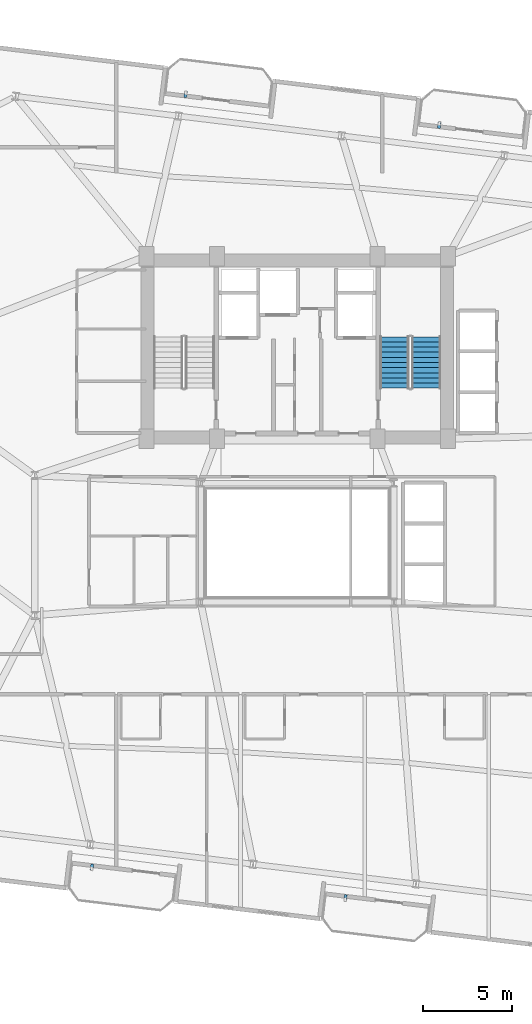
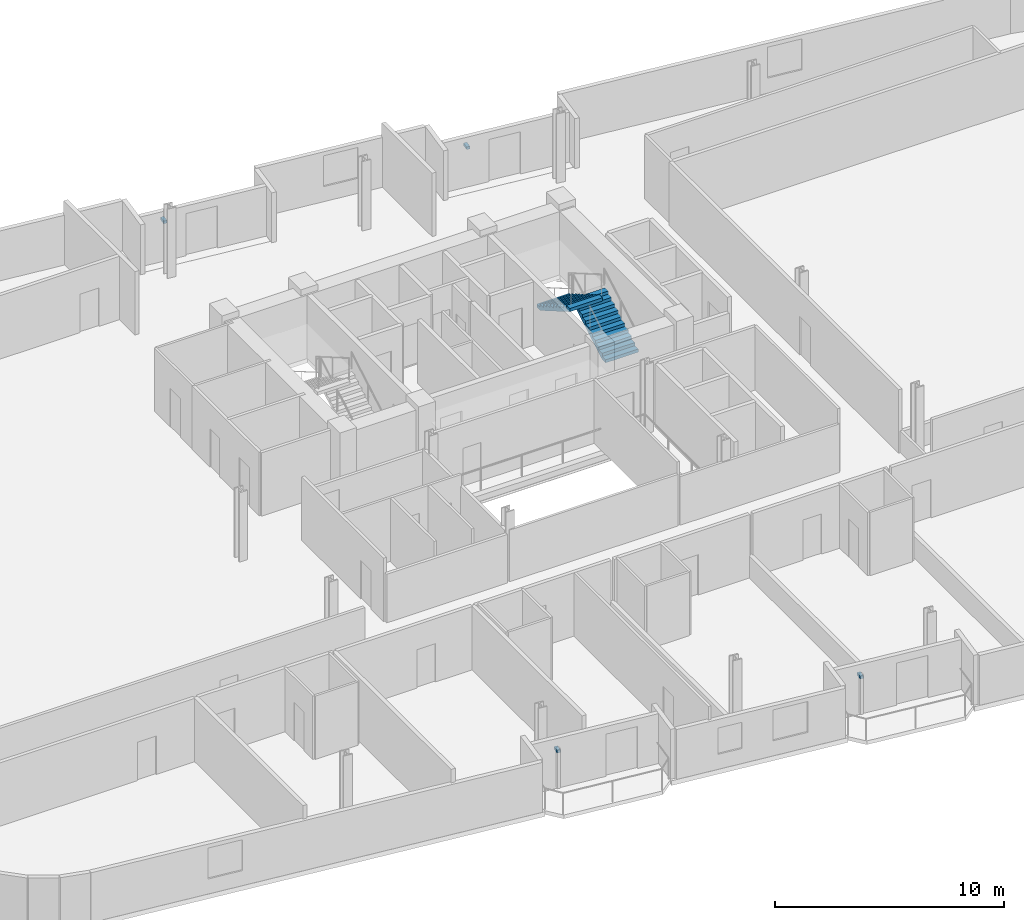
# One storey, part 24 of 26: 4 discrete accessories, 2 stair flights, 1 element without a shape of its own.
"""IFC4 building model written with IfcOpenShell, lengths in metres."""

import ifcopenshell
import ifcopenshell.guid

model = None  # the IFC model being written
_history = None  # IfcOwnerHistory: only IFC2X3 demands one
_inside = {}  # id of a spatial element -> (the spatial element, [elements in it])
_under = {}  # id of a project, library or spatial element -> (it, [spatial elements below it])
_declared = {}  # id of a project -> (the project, [libraries it declares])
_typed = {}  # id of a type object -> (the type object, [elements of that type])
_made_of = {}  # id of a material, layer set ... -> (it, [elements and type objects made of it])


def new_model(schema):
    """Start an empty IFC model of exactly this schema.

    Asked for "IFC4X3", IfcOpenShell would pick the latest addendum, in which some entities
    have other attributes; the version numbers below select the first issue.
    IFC2X3 requires an IfcOwnerHistory on every rooted entity: one is made here for all.
    """
    global model, _history
    if schema == "IFC4X3":
        model = ifcopenshell.file(schema_version=(4, 3, 0, 0))
    else:
        model = ifcopenshell.file(schema=schema)
    _inside.clear()
    _under.clear()
    _declared.clear()
    _typed.clear()
    _made_of.clear()
    _history = None
    if model.schema == "IFC2X3":
        org = make("IfcOrganization", Name="unknown")
        user = make(
            "IfcPersonAndOrganization",
            ThePerson=make("IfcPerson", FamilyName="unknown"),
            TheOrganization=org,
        )
        app = make(
            "IfcApplication",
            ApplicationDeveloper=org,
            Version="unknown",
            ApplicationFullName="unknown",
            ApplicationIdentifier="unknown",
        )
        _history = make(
            "IfcOwnerHistory",
            OwningUser=user,
            OwningApplication=app,
            ChangeAction="ADDED",
            CreationDate=0,
        )
    return model


def make(cls, **values):
    """One entity of the class cls with the attributes given. An attribute that is None is left unset."""
    return model.create_entity(
        cls, **{name: value for name, value in values.items() if value is not None}
    )


def rooted(cls, **values):
    """An entity with a GlobalId (a new one), such as an element, a storey or a relation."""
    return make(cls, GlobalId=ifcopenshell.guid.new(), OwnerHistory=_history, **values)


def si_unit(unit_type, name, prefix=None):
    """IfcSIUnit, for example si_unit("LENGTHUNIT", "METRE", prefix="MILLI")."""
    return make("IfcSIUnit", UnitType=unit_type, Prefix=prefix, Name=name)


def assignment(units):
    """IfcUnitAssignment: the units of a project."""
    return None if units is None else make("IfcUnitAssignment", Units=units)


def point(xyz):
    """IfcCartesianPoint."""
    return None if xyz is None else make("IfcCartesianPoint", Coordinates=xyz)


def direction(xyz):
    """IfcDirection."""
    return None if xyz is None else make("IfcDirection", DirectionRatios=xyz)


def frame(location, z_axis=None, x_axis=None):
    """IfcAxis2Placement3D, a coordinate frame: its origin and axes. An axis left out is left unset."""
    return make(
        "IfcAxis2Placement3D",
        Location=point(location),
        Axis=direction(z_axis),
        RefDirection=direction(x_axis),
    )


def frame_2d(location, x_axis=None):
    """IfcAxis2Placement2D, a coordinate frame in the plane: its origin and x axis."""
    return make(
        "IfcAxis2Placement2D", Location=point(location), RefDirection=direction(x_axis)
    )


def origin():
    """The frame at (0, 0, 0) with its axes left unset."""
    return frame((0.0, 0.0, 0.0))


def origin_2d():
    """The frame at (0, 0) in the plane with its x axis left unset."""
    return frame_2d((0.0, 0.0))


def place(relative_to, where):
    """IfcLocalPlacement: puts the frame where relative to a parent placement (None: the world)."""
    return make(
        "IfcLocalPlacement", PlacementRelTo=relative_to, RelativePlacement=where
    )


def context(
    kind, dimensions, precision=None, world=None, true_north=None, identifier=None
):
    """IfcGeometricRepresentationContext, for example the 3D "Model" context."""
    return make(
        "IfcGeometricRepresentationContext",
        ContextIdentifier=identifier,
        ContextType=kind,
        CoordinateSpaceDimension=dimensions,
        Precision=precision,
        WorldCoordinateSystem=world,
        TrueNorth=true_north,
    )


def subcontext(parent, identifier, kind, view, scale=None):
    """IfcGeometricRepresentationSubContext, for example "Body" below "Model"."""
    return make(
        "IfcGeometricRepresentationSubContext",
        ContextIdentifier=identifier,
        ContextType=kind,
        ParentContext=parent,
        TargetScale=scale,
        TargetView=view,
    )


def project(units=None, contexts=None):
    """IfcProject with its units and contexts."""
    return rooted(
        "IfcProject",
        Name="project",
        RepresentationContexts=contexts,
        UnitsInContext=assignment(units),
    )


def spatial(cls, under=None, at=None, **own):
    """A site, building, storey or space (cls), placed at a placement, below another one or the project."""
    s = rooted(cls, ObjectPlacement=at, **own)
    if under is not None:
        _under.setdefault(under.id(), (under, []))[1].append(s)
    return s


def polyline(points):
    """IfcPolyline through the points."""
    return make("IfcPolyline", Points=[point(p) for p in points])


def profile(cls, at=None, kind="AREA", **sizes):
    """A parametric profile (cls). Its sizes go by their IFC names, for example OverallWidth=200.0."""
    return make(cls, ProfileType=kind, Position=at, **sizes)


def rectangle(**sizes):
    """IfcRectangleProfileDef."""
    return profile("IfcRectangleProfileDef", **sizes)


def outline(outer, holes=None, kind="AREA"):
    """IfcArbitraryClosedProfileDef: a profile drawn as a closed curve; with holes, ...WithVoids."""
    if holes is None:
        return make("IfcArbitraryClosedProfileDef", ProfileType=kind, OuterCurve=outer)
    return make(
        "IfcArbitraryProfileDefWithVoids",
        ProfileType=kind,
        OuterCurve=outer,
        InnerCurves=holes,
    )


def extrude(swept, where, along, depth):
    """IfcExtrudedAreaSolid: the profile swept, set in the frame where, extruded along a direction by depth."""
    return make(
        "IfcExtrudedAreaSolid",
        SweptArea=swept,
        Position=where,
        ExtrudedDirection=direction(along),
        Depth=depth,
    )


def shape(context_of_items, identifier, shape_type, items):
    """IfcShapeRepresentation: the items that make up one representation, for example the "Body"."""
    return make(
        "IfcShapeRepresentation",
        ContextOfItems=context_of_items,
        RepresentationIdentifier=identifier,
        RepresentationType=shape_type,
        Items=items,
    )


def source(mapping_origin, context_of_items, identifier, shape_type, items):
    """IfcRepresentationMap: a shape defined once, which mapped items show again and again."""
    return make(
        "IfcRepresentationMap",
        MappingOrigin=mapping_origin,
        MappedRepresentation=shape(context_of_items, identifier, shape_type, items),
    )


def transform(
    local_origin,
    x_axis=None,
    y_axis=None,
    z_axis=None,
    scale=None,
    scale2=None,
    scale3=None,
    uniform=True,
):
    """IfcCartesianTransformationOperator3D, or its non-uniform kind. x_axis, y_axis, z_axis: its Axis1, 2, 3."""
    if uniform:
        return make(
            "IfcCartesianTransformationOperator3D",
            Axis1=direction(x_axis),
            Axis2=direction(y_axis),
            LocalOrigin=point(local_origin),
            Scale=scale,
            Axis3=direction(z_axis),
        )
    return make(
        "IfcCartesianTransformationOperator3DnonUniform",
        Axis1=direction(x_axis),
        Axis2=direction(y_axis),
        LocalOrigin=point(local_origin),
        Scale=scale,
        Axis3=direction(z_axis),
        Scale2=scale2,
        Scale3=scale3,
    )


def mapped(mapping_source, mapping_target):
    """IfcMappedItem: shows the shape of a source again, moved by a transform."""
    return make(
        "IfcMappedItem", MappingSource=mapping_source, MappingTarget=mapping_target
    )


def material(Name=None, Category=None):
    """IfcMaterial."""
    return make("IfcMaterial", Name=Name, Category=Category)


def made_of(thing, what):
    """Note that an element or type object is made of a material, layer set ...; save() writes the relation."""
    if what is not None:
        _made_of.setdefault(what.id(), (what, []))[1].append(thing)
    return thing


def type_object(cls, material=None, **own):
    """A type object (cls), such as IfcWallType, which elements share."""
    return made_of(rooted(cls, **own), material)


def element(
    cls,
    number,
    at=None,
    inside=None,
    cuts=None,
    type_object=None,
    material=None,
    context=None,
    identifier="Body",
    shape_type=None,
    held_by="IfcProductDefinitionShape",
    body=None,
    shapes=None,
    **own,
):
    """One element of the class cls, such as IfcWall. Its Tag is "e" and its number.

    at: its placement. inside: the storey or other place that contains it. cuts: it is an
    opening in that element (IfcRelVoidsElement). A single representation is given by context,
    identifier, shape_type and body (its items); several are given by shapes. held_by: the class
    of the entity that holds the representations. save() writes the other relations.
    """
    e = rooted(cls, Tag="e%d" % number, ObjectPlacement=at, **own)
    if body is not None:
        shapes = [shape(context, identifier, shape_type, body)]
    if shapes is not None:
        e.Representation = make(held_by, Representations=shapes)
    if inside is not None:
        _inside.setdefault(inside.id(), (inside, []))[1].append(e)
    if cuts is not None:
        rooted(
            "IfcRelVoidsElement", RelatingBuildingElement=cuts, RelatedOpeningElement=e
        )
    if type_object is not None:
        _typed.setdefault(type_object.id(), (type_object, []))[1].append(e)
    return made_of(e, material)


def aggregate(whole, parts):
    """IfcRelAggregates: a whole, such as a stair, and the parts it consists of."""
    return rooted("IfcRelAggregates", RelatingObject=whole, RelatedObjects=parts)


def save(model, path):
    """Write the relations noted so far, then the file.

    IfcRelAggregates (storeys below a building ...), IfcRelContainedInSpatialStructure (elements
    in a storey), IfcRelDefinesByType, IfcRelAssociatesMaterial and IfcRelDeclares: one each for
    every whole, place, type object, material and project.
    """
    for whole, parts in _under.values():
        aggregate(whole, parts)
    for where, things in _inside.values():
        rooted(
            "IfcRelContainedInSpatialStructure",
            RelatedElements=things,
            RelatingStructure=where,
        )
    for kind, things in _typed.values():
        rooted("IfcRelDefinesByType", RelatedObjects=things, RelatingType=kind)
    for what, things in _made_of.values():
        rooted("IfcRelAssociatesMaterial", RelatedObjects=things, RelatingMaterial=what)
    for by, libraries in _declared.values():
        rooted("IfcRelDeclares", RelatingContext=by, RelatedDefinitions=libraries)
    model.write(path)


model = new_model("IFC4")

# Units and contexts
model_context = context("Model", 3, precision=1e-05, world=origin(), true_north=direction((0.0, 1.0)))
body_context = subcontext(model_context, "Body", "Model", "MODEL_VIEW")
ifc_project = project(units=[si_unit("LENGTHUNIT", "METRE"), si_unit("AREAUNIT", "SQUARE_METRE"), si_unit("VOLUMEUNIT", "CUBIC_METRE"), si_unit("PLANEANGLEUNIT", "RADIAN"), si_unit("MASSUNIT", "GRAM", prefix="KILO")], contexts=[model_context])

# Site, building, storey
site_placement = place(None, origin())
site = spatial("IfcSite", under=ifc_project, at=site_placement, CompositionType="ELEMENT")
building_placement = place(site_placement, origin())
building = spatial("IfcBuilding", under=site, at=building_placement, Name="Varnelok Gate Tower", CompositionType="ELEMENT")
storey_placement = place(building_placement, frame((0.0, 0.0, 158.699951171875)))
storey = spatial("IfcBuildingStorey", under=building, at=storey_placement, Name="L40", CompositionType="ELEMENT", Elevation=158.699951171875)

# Stair, stair flights
ifc_material_1 = material(Name="Concrete C50/60", Category="concrete")
stair_type = type_object("IfcStairType", Name="STR-CORE-1650", PredefinedType="HALF_TURN_STAIR", material=ifc_material_1)
stair_placement = place(storey_placement, origin())
stair = element("IfcStair", 1, at=stair_placement, inside=storey, type_object=stair_type, Name="L40 Exit Stair ST-2", PredefinedType="HALF_TURN_STAIR")
stair_flight_type = type_object("IfcStairFlightType", Name="SFL-CORE-1650", PredefinedType="STRAIGHT", material=ifc_material_1)
stair_flight_1_placement = place(storey_placement, frame((46.47509765625, 31.60009765625, 0.0), z_axis=(0.0, 0.0, 1.0), x_axis=(0.0, 1.0, 0.0)))
stair_flight_1 = element("IfcStairFlight", 2, at=stair_flight_1_placement, type_object=stair_flight_type, Name="ST-2 flight 1", NumberOfRisers=11, NumberOfTreads=10, PredefinedType="STRAIGHT", RiserHeight=0.168181818, TreadLength=0.29, context=body_context, shape_type="SweptSolid", body=[
    extrude(outline(polyline([(0.0, 0.0), (0.0, 0.168212890625), (0.2900390625, 0.168212890625), (0.2900390625, 0.33642578125), (0.580078125, 0.33642578125), (0.580078125, 0.504638671875), (0.8701171875, 0.504638671875), (0.8701171875, 0.672607421875), (1.159912109375, 0.672607421875), (1.159912109375, 0.8408203125), (1.449951171875, 0.8408203125), (1.449951171875, 1.009033203125), (1.739990234375, 1.009033203125), (1.739990234375, 1.17724609375), (2.030029296875, 1.17724609375), (2.030029296875, 1.345458984375), (2.320068359375, 1.345458984375), (2.320068359375, 1.513671875), (2.610107421875, 1.513671875), (2.610107421875, 1.681884765625), (2.89990234375, 1.681884765625), (2.89990234375, 1.85009765625), (2.89990234375, 1.508544921875), (0.298828125, 0.0), (0.0, 0.0)])), frame((0.0, 0.824951171875, 0.0), z_axis=(0.0, -1.0, 0.0), x_axis=(1.0, 0.0, 0.0)), (0.0, 0.0, 1.0), 1.64990234375),
])
stair_flight_2_placement = place(storey_placement, frame((44.675048828125, 34.5, 1.85009765625), z_axis=(0.0, 0.0, 1.0), x_axis=(0.0, -1.0, 0.0)))
stair_flight_2 = element("IfcStairFlight", 3, at=stair_flight_2_placement, type_object=stair_flight_type, Name="ST-2 flight 2", NumberOfRisers=11, NumberOfTreads=10, PredefinedType="STRAIGHT", RiserHeight=0.168181818, TreadLength=0.29, context=body_context, shape_type="SweptSolid", body=[
    extrude(outline(polyline([(0.0, 0.0), (0.0, 0.168212890625), (0.2900390625, 0.168212890625), (0.2900390625, 0.33642578125), (0.580078125, 0.33642578125), (0.580078125, 0.504638671875), (0.8701171875, 0.504638671875), (0.8701171875, 0.672607421875), (1.159912109375, 0.672607421875), (1.159912109375, 0.8408203125), (1.449951171875, 0.8408203125), (1.449951171875, 1.009033203125), (1.739990234375, 1.009033203125), (1.739990234375, 1.17724609375), (2.030029296875, 1.17724609375), (2.030029296875, 1.345458984375), (2.320068359375, 1.345458984375), (2.320068359375, 1.513671875), (2.610107421875, 1.513671875), (2.610107421875, 1.681884765625), (2.89990234375, 1.681884765625), (2.89990234375, 1.85009765625), (2.89990234375, 1.508544921875), (0.298828125, 0.0), (0.0, 0.0)])), frame((0.0, 0.824951171875, 0.0), z_axis=(0.0, -1.0, 0.0), x_axis=(1.0, 0.0, 0.0)), (0.0, 0.0, 1.0), 1.64990234375),
])
aggregate(stair, [stair_flight_1, stair_flight_2])

# Discrete accessories
ifc_material_2 = material(Name="Structural Steel ASTM A500 Grade C", Category="steel")
discrete_accessory_type = type_object("IfcDiscreteAccessoryType", Name="ACC-BAGUETTE-BRK", PredefinedType="BRACKET", material=ifc_material_2)
shared_shape = source(origin(), body_context, "Body", "SweptSolid", [
    extrude(rectangle(XDim=0.159912109375, YDim=0.340087890625, at=origin_2d()), origin(), (0.0, 0.0, 1.0), 0.139892578125),
])
for number, where, z_axis, x_axis, name in (
    (4, (27.626220703125, 4.612548828125, 1.97998046875), (0.0, 0.0, 1.0), (0.992732158755, -0.12034475881, 0.0), "L40 Terracotta Baguette Bracket 1.1"),
    (5, (41.921630859375, 2.87939453125, 1.97998046875), (0.0, 0.0, 1.0), (0.992732158755, -0.12034475881, 0.0), "L40 Terracotta Baguette Bracket 2.1"),
    (6, (32.904541015625, 48.15380859375, 1.97998046875), (0.0, 0.0, 1.0), (0.992732158755, -0.12034475881, 0.0), "L40 Terracotta Baguette Bracket 3.1"),
    (7, (47.199951171875, 46.4208984375, 1.97998046875), (0.0, 0.0, 1.0), (0.992732158755, -0.12034475881, 0.0), "L40 Terracotta Baguette Bracket 4.1"),
):
    element("IfcDiscreteAccessory", number, at=place(storey_placement, frame(where, z_axis=z_axis, x_axis=x_axis)), inside=storey, type_object=discrete_accessory_type, Name=name, PredefinedType="BRACKET", context=body_context, shape_type="MappedRepresentation", body=[
        mapped(shared_shape, transform((0.0, 0.0, 0.0), scale=1.0)),
    ])

save(model, "model.ifc")
